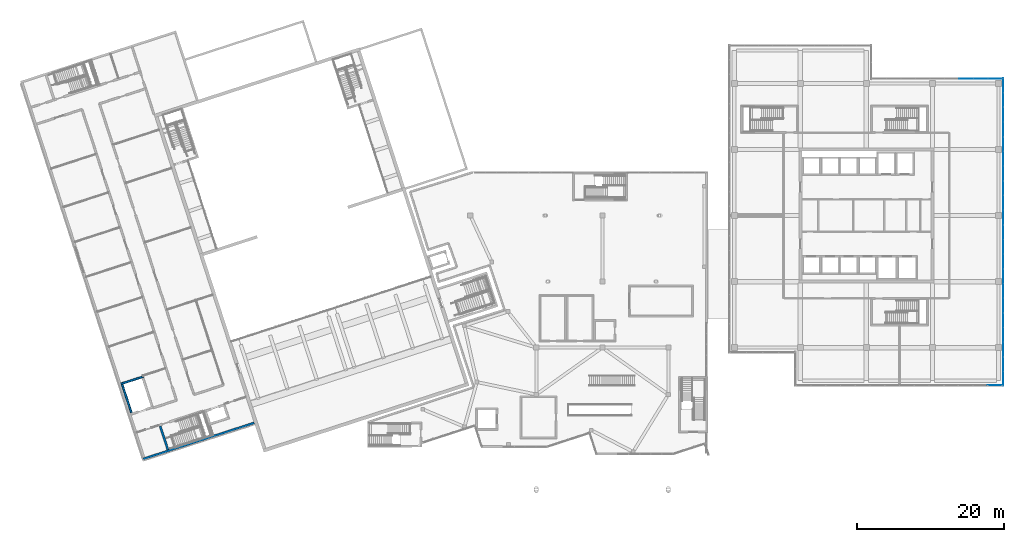
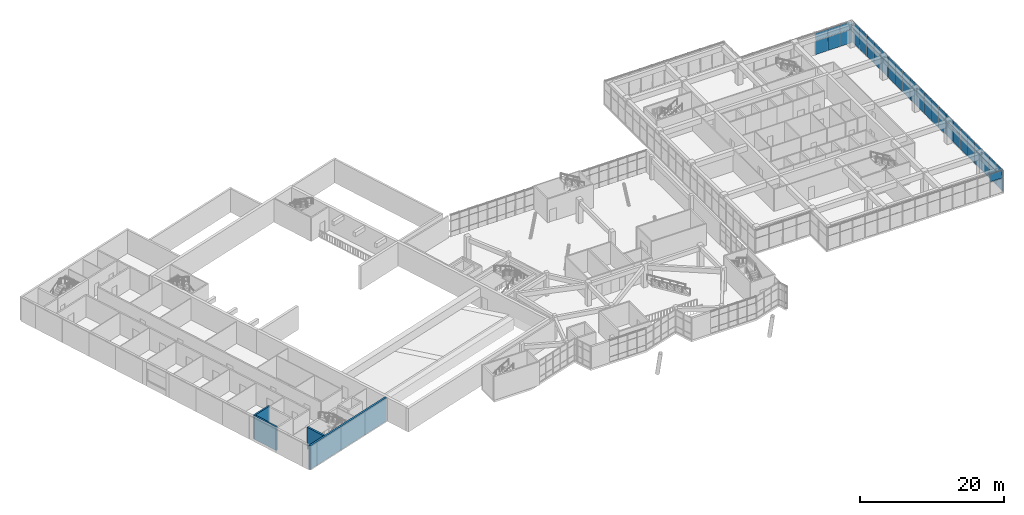
# One storey, part 51 of 66: 49 plates, 4 walls, 3 elements without a shape of their own.
"""IFC4 building model written with IfcOpenShell, lengths in metres."""

from ifc_helpers import new_model, si_unit, direction, frame, frame_2d, origin, origin_2d, place, context, subcontext, project, spatial, rectangle, extrude, material, layer, layer_set, type_object, element, aggregate, save


model = new_model("IFC4")

# Units and contexts
model_context = context("Model", 3, precision=1e-05, world=origin(), true_north=direction((0.0, 1.0)))
body_context = subcontext(model_context, "Body", "Model", "MODEL_VIEW")
ifc_project = project(units=[si_unit("LENGTHUNIT", "METRE"), si_unit("AREAUNIT", "SQUARE_METRE"), si_unit("VOLUMEUNIT", "CUBIC_METRE"), si_unit("PLANEANGLEUNIT", "RADIAN"), si_unit("MASSUNIT", "GRAM", prefix="KILO")], contexts=[model_context])

# Site, building, storey
site_placement = place(None, origin())
site = spatial("IfcSite", under=ifc_project, at=site_placement, CompositionType="ELEMENT")
building_placement = place(site_placement, origin())
building = spatial("IfcBuilding", under=site, at=building_placement, Name="Tuart Plaza Theatre", CompositionType="ELEMENT")
storey_placement = place(building_placement, frame((0.0, 0.0, 5.5)))
storey = spatial("IfcBuildingStorey", under=building, at=storey_placement, Name="L01", CompositionType="ELEMENT", Elevation=5.5)

# Curtain wall, plate
ifc_material_1 = material(Name="Aluminium and glass", Category="aluminium")
ifc_layer_1 = layer(ifc_material_1, 0.10009765625)
ifc_layer_set_1 = layer_set([ifc_layer_1], Name="CURTAIN WALL 2000 module")
curtain_wall_type = type_object("IfcCurtainWallType", Name="CURTAIN WALL 2000 module", PredefinedType="NOTDEFINED", material=ifc_layer_set_1)
curtain_wall_1_placement = place(storey_placement, origin())
curtain_wall_1 = element("IfcCurtainWall", 1, at=curtain_wall_1_placement, inside=storey, type_object=curtain_wall_type, Name="CW68", PredefinedType="NOTDEFINED")
ifc_material_2 = material(Name="Glass", Category="glass")
ifc_layer_2 = layer(ifc_material_2, 0.028076171875)
ifc_layer_set_2 = layer_set([ifc_layer_2], Name="CURTAIN PANEL double glazed 28")
plate_type = type_object("IfcPlateType", Name="CURTAIN PANEL double glazed 28", PredefinedType="CURTAIN_PANEL", material=ifc_layer_set_2)
plate_1_placement = place(storey_placement, frame((149.533935546875, 50.85009765625, 2.425048828125), z_axis=(0.0, 0.0, 1.0), x_axis=(1.0, 0.0, 0.0)))
plate_1 = element("IfcPlate", 2, at=plate_1_placement, type_object=plate_type, Name="CW68 panel 14.2", PredefinedType="CURTAIN_PANEL", context=body_context, shape_type="SweptSolid", body=[
    extrude(rectangle(XDim=1.93212890625, YDim=0.028076171875, at=origin_2d()), origin(), (0.0, 0.0, 1.0), 1.27490234375),
])
aggregate(curtain_wall_1, [plate_1])

# Curtain wall, plates
curtain_wall_2_placement = place(storey_placement, origin())
curtain_wall_2 = element("IfcCurtainWall", 3, at=curtain_wall_2_placement, inside=storey, type_object=curtain_wall_type, Name="CW69", PredefinedType="NOTDEFINED")
plate_2_placement = place(storey_placement, frame((150.64990234375, 51.762451171875, 0.0498046875), z_axis=(0.0, 0.0, 1.0), x_axis=(0.0, 1.0, 0.0)))
plate_2 = element("IfcPlate", 4, at=plate_2_placement, type_object=plate_type, Name="CW69 panel 1.1", PredefinedType="CURTAIN_PANEL", context=body_context, shape_type="SweptSolid", body=[
    extrude(rectangle(XDim=1.925048828125, YDim=0.028076171875, at=origin_2d()), origin(), (0.0, 0.0, 1.0), 2.324951171875),
])
plate_3_placement = place(storey_placement, frame((150.64990234375, 51.762451171875, 2.425048828125), z_axis=(0.0, 0.0, 1.0), x_axis=(0.0, 1.0, 0.0)))
plate_3 = element("IfcPlate", 5, at=plate_3_placement, type_object=plate_type, Name="CW69 panel 1.2", PredefinedType="CURTAIN_PANEL", context=body_context, shape_type="SweptSolid", body=[
    extrude(rectangle(XDim=1.925048828125, YDim=0.028076171875, at=origin_2d()), origin(), (0.0, 0.0, 1.0), 1.27490234375),
])
plate_4_placement = place(storey_placement, frame((150.64990234375, 53.75, 0.0498046875), z_axis=(0.0, 0.0, 1.0), x_axis=(0.0, 1.0, 0.0)))
plate_4 = element("IfcPlate", 6, at=plate_4_placement, type_object=plate_type, Name="CW69 panel 2.1", PredefinedType="CURTAIN_PANEL", context=body_context, shape_type="SweptSolid", body=[
    extrude(rectangle(XDim=1.949951171875, YDim=0.028076171875, at=origin_2d()), origin(), (0.0, 0.0, 1.0), 2.324951171875),
])
plate_5_placement = place(storey_placement, frame((150.64990234375, 53.75, 2.425048828125), z_axis=(0.0, 0.0, 1.0), x_axis=(0.0, 1.0, 0.0)))
plate_5 = element("IfcPlate", 7, at=plate_5_placement, type_object=plate_type, Name="CW69 panel 2.2", PredefinedType="CURTAIN_PANEL", context=body_context, shape_type="SweptSolid", body=[
    extrude(rectangle(XDim=1.949951171875, YDim=0.028076171875, at=origin_2d()), origin(), (0.0, 0.0, 1.0), 1.27490234375),
])
plate_6_placement = place(storey_placement, frame((150.64990234375, 55.75, 0.0498046875), z_axis=(0.0, 0.0, 1.0), x_axis=(0.0, 1.0, 0.0)))
plate_6 = element("IfcPlate", 8, at=plate_6_placement, type_object=plate_type, Name="CW69 panel 3.1", PredefinedType="CURTAIN_PANEL", context=body_context, shape_type="SweptSolid", body=[
    extrude(rectangle(XDim=1.949951171875, YDim=0.028076171875, at=origin_2d()), origin(), (0.0, 0.0, 1.0), 2.324951171875),
])
plate_7_placement = place(storey_placement, frame((150.64990234375, 55.75, 2.425048828125), z_axis=(0.0, 0.0, 1.0), x_axis=(0.0, 1.0, 0.0)))
plate_7 = element("IfcPlate", 9, at=plate_7_placement, type_object=plate_type, Name="CW69 panel 3.2", PredefinedType="CURTAIN_PANEL", context=body_context, shape_type="SweptSolid", body=[
    extrude(rectangle(XDim=1.949951171875, YDim=0.028076171875, at=origin_2d()), origin(), (0.0, 0.0, 1.0), 1.27490234375),
])
plate_8_placement = place(storey_placement, frame((150.64990234375, 57.75, 0.0498046875), z_axis=(0.0, 0.0, 1.0), x_axis=(0.0, 1.0, 0.0)))
plate_8 = element("IfcPlate", 10, at=plate_8_placement, type_object=plate_type, Name="CW69 panel 4.1", PredefinedType="CURTAIN_PANEL", context=body_context, shape_type="SweptSolid", body=[
    extrude(rectangle(XDim=1.949951171875, YDim=0.028076171875, at=origin_2d()), origin(), (0.0, 0.0, 1.0), 2.324951171875),
])
plate_9_placement = place(storey_placement, frame((150.64990234375, 57.75, 2.425048828125), z_axis=(0.0, 0.0, 1.0), x_axis=(0.0, 1.0, 0.0)))
plate_9 = element("IfcPlate", 11, at=plate_9_placement, type_object=plate_type, Name="CW69 panel 4.2", PredefinedType="CURTAIN_PANEL", context=body_context, shape_type="SweptSolid", body=[
    extrude(rectangle(XDim=1.949951171875, YDim=0.028076171875, at=origin_2d()), origin(), (0.0, 0.0, 1.0), 1.27490234375),
])
plate_10_placement = place(storey_placement, frame((150.64990234375, 59.75, 0.0498046875), z_axis=(0.0, 0.0, 1.0), x_axis=(0.0, 1.0, 0.0)))
plate_10 = element("IfcPlate", 12, at=plate_10_placement, type_object=plate_type, Name="CW69 panel 5.1", PredefinedType="CURTAIN_PANEL", context=body_context, shape_type="SweptSolid", body=[
    extrude(rectangle(XDim=1.949951171875, YDim=0.028076171875, at=origin_2d()), origin(), (0.0, 0.0, 1.0), 2.324951171875),
])
plate_11_placement = place(storey_placement, frame((150.64990234375, 59.75, 2.425048828125), z_axis=(0.0, 0.0, 1.0), x_axis=(0.0, 1.0, 0.0)))
plate_11 = element("IfcPlate", 13, at=plate_11_placement, type_object=plate_type, Name="CW69 panel 5.2", PredefinedType="CURTAIN_PANEL", context=body_context, shape_type="SweptSolid", body=[
    extrude(rectangle(XDim=1.949951171875, YDim=0.028076171875, at=origin_2d()), origin(), (0.0, 0.0, 1.0), 1.27490234375),
])
plate_12_placement = place(storey_placement, frame((150.64990234375, 61.75, 0.0498046875), z_axis=(0.0, 0.0, 1.0), x_axis=(0.0, 1.0, 0.0)))
plate_12 = element("IfcPlate", 14, at=plate_12_placement, type_object=plate_type, Name="CW69 panel 6.1", PredefinedType="CURTAIN_PANEL", context=body_context, shape_type="SweptSolid", body=[
    extrude(rectangle(XDim=1.949951171875, YDim=0.028076171875, at=origin_2d()), origin(), (0.0, 0.0, 1.0), 2.324951171875),
])
plate_13_placement = place(storey_placement, frame((150.64990234375, 61.75, 2.425048828125), z_axis=(0.0, 0.0, 1.0), x_axis=(0.0, 1.0, 0.0)))
plate_13 = element("IfcPlate", 15, at=plate_13_placement, type_object=plate_type, Name="CW69 panel 6.2", PredefinedType="CURTAIN_PANEL", context=body_context, shape_type="SweptSolid", body=[
    extrude(rectangle(XDim=1.949951171875, YDim=0.028076171875, at=origin_2d()), origin(), (0.0, 0.0, 1.0), 1.27490234375),
])
plate_14_placement = place(storey_placement, frame((150.64990234375, 63.75, 0.0498046875), z_axis=(0.0, 0.0, 1.0), x_axis=(0.0, 1.0, 0.0)))
plate_14 = element("IfcPlate", 16, at=plate_14_placement, type_object=plate_type, Name="CW69 panel 7.1", PredefinedType="CURTAIN_PANEL", context=body_context, shape_type="SweptSolid", body=[
    extrude(rectangle(XDim=1.949951171875, YDim=0.028076171875, at=origin_2d()), origin(), (0.0, 0.0, 1.0), 2.324951171875),
])
plate_15_placement = place(storey_placement, frame((150.64990234375, 63.75, 2.425048828125), z_axis=(0.0, 0.0, 1.0), x_axis=(0.0, 1.0, 0.0)))
plate_15 = element("IfcPlate", 17, at=plate_15_placement, type_object=plate_type, Name="CW69 panel 7.2", PredefinedType="CURTAIN_PANEL", context=body_context, shape_type="SweptSolid", body=[
    extrude(rectangle(XDim=1.949951171875, YDim=0.028076171875, at=origin_2d()), origin(), (0.0, 0.0, 1.0), 1.27490234375),
])
plate_16_placement = place(storey_placement, frame((150.64990234375, 65.75, 0.0498046875), z_axis=(0.0, 0.0, 1.0), x_axis=(0.0, 1.0, 0.0)))
plate_16 = element("IfcPlate", 18, at=plate_16_placement, type_object=plate_type, Name="CW69 panel 8.1", PredefinedType="CURTAIN_PANEL", context=body_context, shape_type="SweptSolid", body=[
    extrude(rectangle(XDim=1.949951171875, YDim=0.028076171875, at=origin_2d()), origin(), (0.0, 0.0, 1.0), 2.324951171875),
])
plate_17_placement = place(storey_placement, frame((150.64990234375, 65.75, 2.425048828125), z_axis=(0.0, 0.0, 1.0), x_axis=(0.0, 1.0, 0.0)))
plate_17 = element("IfcPlate", 19, at=plate_17_placement, type_object=plate_type, Name="CW69 panel 8.2", PredefinedType="CURTAIN_PANEL", context=body_context, shape_type="SweptSolid", body=[
    extrude(rectangle(XDim=1.949951171875, YDim=0.028076171875, at=origin_2d()), origin(), (0.0, 0.0, 1.0), 1.27490234375),
])
plate_18_placement = place(storey_placement, frame((150.64990234375, 67.75, 0.0498046875), z_axis=(0.0, 0.0, 1.0), x_axis=(0.0, 1.0, 0.0)))
plate_18 = element("IfcPlate", 20, at=plate_18_placement, type_object=plate_type, Name="CW69 panel 9.1", PredefinedType="CURTAIN_PANEL", context=body_context, shape_type="SweptSolid", body=[
    extrude(rectangle(XDim=1.949951171875, YDim=0.028076171875, at=origin_2d()), origin(), (0.0, 0.0, 1.0), 2.324951171875),
])
plate_19_placement = place(storey_placement, frame((150.64990234375, 67.75, 2.425048828125), z_axis=(0.0, 0.0, 1.0), x_axis=(0.0, 1.0, 0.0)))
plate_19 = element("IfcPlate", 21, at=plate_19_placement, type_object=plate_type, Name="CW69 panel 9.2", PredefinedType="CURTAIN_PANEL", context=body_context, shape_type="SweptSolid", body=[
    extrude(rectangle(XDim=1.949951171875, YDim=0.028076171875, at=origin_2d()), origin(), (0.0, 0.0, 1.0), 1.27490234375),
])
plate_20_placement = place(storey_placement, frame((150.64990234375, 69.75, 0.0498046875), z_axis=(0.0, 0.0, 1.0), x_axis=(0.0, 1.0, 0.0)))
plate_20 = element("IfcPlate", 22, at=plate_20_placement, type_object=plate_type, Name="CW69 panel 10.1", PredefinedType="CURTAIN_PANEL", context=body_context, shape_type="SweptSolid", body=[
    extrude(rectangle(XDim=1.949951171875, YDim=0.028076171875, at=origin_2d()), origin(), (0.0, 0.0, 1.0), 2.324951171875),
])
plate_21_placement = place(storey_placement, frame((150.64990234375, 69.75, 2.425048828125), z_axis=(0.0, 0.0, 1.0), x_axis=(0.0, 1.0, 0.0)))
plate_21 = element("IfcPlate", 23, at=plate_21_placement, type_object=plate_type, Name="CW69 panel 10.2", PredefinedType="CURTAIN_PANEL", context=body_context, shape_type="SweptSolid", body=[
    extrude(rectangle(XDim=1.949951171875, YDim=0.028076171875, at=origin_2d()), origin(), (0.0, 0.0, 1.0), 1.27490234375),
])
plate_22_placement = place(storey_placement, frame((150.64990234375, 71.75, 0.0498046875), z_axis=(0.0, 0.0, 1.0), x_axis=(0.0, 1.0, 0.0)))
plate_22 = element("IfcPlate", 24, at=plate_22_placement, type_object=plate_type, Name="CW69 panel 11.1", PredefinedType="CURTAIN_PANEL", context=body_context, shape_type="SweptSolid", body=[
    extrude(rectangle(XDim=1.949951171875, YDim=0.028076171875, at=origin_2d()), origin(), (0.0, 0.0, 1.0), 2.324951171875),
])
plate_23_placement = place(storey_placement, frame((150.64990234375, 71.75, 2.425048828125), z_axis=(0.0, 0.0, 1.0), x_axis=(0.0, 1.0, 0.0)))
plate_23 = element("IfcPlate", 25, at=plate_23_placement, type_object=plate_type, Name="CW69 panel 11.2", PredefinedType="CURTAIN_PANEL", context=body_context, shape_type="SweptSolid", body=[
    extrude(rectangle(XDim=1.949951171875, YDim=0.028076171875, at=origin_2d()), origin(), (0.0, 0.0, 1.0), 1.27490234375),
])
plate_24_placement = place(storey_placement, frame((150.64990234375, 73.75, 0.0498046875), z_axis=(0.0, 0.0, 1.0), x_axis=(0.0, 1.0, 0.0)))
plate_24 = element("IfcPlate", 26, at=plate_24_placement, type_object=plate_type, Name="CW69 panel 12.1", PredefinedType="CURTAIN_PANEL", context=body_context, shape_type="SweptSolid", body=[
    extrude(rectangle(XDim=1.949951171875, YDim=0.028076171875, at=origin_2d()), origin(), (0.0, 0.0, 1.0), 2.324951171875),
])
plate_25_placement = place(storey_placement, frame((150.64990234375, 73.75, 2.425048828125), z_axis=(0.0, 0.0, 1.0), x_axis=(0.0, 1.0, 0.0)))
plate_25 = element("IfcPlate", 27, at=plate_25_placement, type_object=plate_type, Name="CW69 panel 12.2", PredefinedType="CURTAIN_PANEL", context=body_context, shape_type="SweptSolid", body=[
    extrude(rectangle(XDim=1.949951171875, YDim=0.028076171875, at=origin_2d()), origin(), (0.0, 0.0, 1.0), 1.27490234375),
])
plate_26_placement = place(storey_placement, frame((150.64990234375, 75.75, 0.0498046875), z_axis=(0.0, 0.0, 1.0), x_axis=(0.0, 1.0, 0.0)))
plate_26 = element("IfcPlate", 28, at=plate_26_placement, type_object=plate_type, Name="CW69 panel 13.1", PredefinedType="CURTAIN_PANEL", context=body_context, shape_type="SweptSolid", body=[
    extrude(rectangle(XDim=1.949951171875, YDim=0.028076171875, at=origin_2d()), origin(), (0.0, 0.0, 1.0), 2.324951171875),
])
plate_27_placement = place(storey_placement, frame((150.64990234375, 75.75, 2.425048828125), z_axis=(0.0, 0.0, 1.0), x_axis=(0.0, 1.0, 0.0)))
plate_27 = element("IfcPlate", 29, at=plate_27_placement, type_object=plate_type, Name="CW69 panel 13.2", PredefinedType="CURTAIN_PANEL", context=body_context, shape_type="SweptSolid", body=[
    extrude(rectangle(XDim=1.949951171875, YDim=0.028076171875, at=origin_2d()), origin(), (0.0, 0.0, 1.0), 1.27490234375),
])
plate_28_placement = place(storey_placement, frame((150.64990234375, 77.75, 0.0498046875), z_axis=(0.0, 0.0, 1.0), x_axis=(0.0, 1.0, 0.0)))
plate_28 = element("IfcPlate", 30, at=plate_28_placement, type_object=plate_type, Name="CW69 panel 14.1", PredefinedType="CURTAIN_PANEL", context=body_context, shape_type="SweptSolid", body=[
    extrude(rectangle(XDim=1.949951171875, YDim=0.028076171875, at=origin_2d()), origin(), (0.0, 0.0, 1.0), 2.324951171875),
])
plate_29_placement = place(storey_placement, frame((150.64990234375, 77.75, 2.425048828125), z_axis=(0.0, 0.0, 1.0), x_axis=(0.0, 1.0, 0.0)))
plate_29 = element("IfcPlate", 31, at=plate_29_placement, type_object=plate_type, Name="CW69 panel 14.2", PredefinedType="CURTAIN_PANEL", context=body_context, shape_type="SweptSolid", body=[
    extrude(rectangle(XDim=1.949951171875, YDim=0.028076171875, at=origin_2d()), origin(), (0.0, 0.0, 1.0), 1.27490234375),
])
plate_30_placement = place(storey_placement, frame((150.64990234375, 79.75, 0.0498046875), z_axis=(0.0, 0.0, 1.0), x_axis=(0.0, 1.0, 0.0)))
plate_30 = element("IfcPlate", 32, at=plate_30_placement, type_object=plate_type, Name="CW69 panel 15.1", PredefinedType="CURTAIN_PANEL", context=body_context, shape_type="SweptSolid", body=[
    extrude(rectangle(XDim=1.949951171875, YDim=0.028076171875, at=origin_2d()), origin(), (0.0, 0.0, 1.0), 2.324951171875),
])
plate_31_placement = place(storey_placement, frame((150.64990234375, 79.75, 2.425048828125), z_axis=(0.0, 0.0, 1.0), x_axis=(0.0, 1.0, 0.0)))
plate_31 = element("IfcPlate", 33, at=plate_31_placement, type_object=plate_type, Name="CW69 panel 15.2", PredefinedType="CURTAIN_PANEL", context=body_context, shape_type="SweptSolid", body=[
    extrude(rectangle(XDim=1.949951171875, YDim=0.028076171875, at=origin_2d()), origin(), (0.0, 0.0, 1.0), 1.27490234375),
])
plate_32_placement = place(storey_placement, frame((150.64990234375, 81.75, 0.0498046875), z_axis=(0.0, 0.0, 1.0), x_axis=(0.0, 1.0, 0.0)))
plate_32 = element("IfcPlate", 34, at=plate_32_placement, type_object=plate_type, Name="CW69 panel 16.1", PredefinedType="CURTAIN_PANEL", context=body_context, shape_type="SweptSolid", body=[
    extrude(rectangle(XDim=1.949951171875, YDim=0.028076171875, at=origin_2d()), origin(), (0.0, 0.0, 1.0), 2.324951171875),
])
plate_33_placement = place(storey_placement, frame((150.64990234375, 81.75, 2.425048828125), z_axis=(0.0, 0.0, 1.0), x_axis=(0.0, 1.0, 0.0)))
plate_33 = element("IfcPlate", 35, at=plate_33_placement, type_object=plate_type, Name="CW69 panel 16.2", PredefinedType="CURTAIN_PANEL", context=body_context, shape_type="SweptSolid", body=[
    extrude(rectangle(XDim=1.949951171875, YDim=0.028076171875, at=origin_2d()), origin(), (0.0, 0.0, 1.0), 1.27490234375),
])
plate_34_placement = place(storey_placement, frame((150.64990234375, 83.75, 0.0498046875), z_axis=(0.0, 0.0, 1.0), x_axis=(0.0, 1.0, 0.0)))
plate_34 = element("IfcPlate", 36, at=plate_34_placement, type_object=plate_type, Name="CW69 panel 17.1", PredefinedType="CURTAIN_PANEL", context=body_context, shape_type="SweptSolid", body=[
    extrude(rectangle(XDim=1.949951171875, YDim=0.028076171875, at=origin_2d()), origin(), (0.0, 0.0, 1.0), 2.324951171875),
])
plate_35_placement = place(storey_placement, frame((150.64990234375, 83.75, 2.425048828125), z_axis=(0.0, 0.0, 1.0), x_axis=(0.0, 1.0, 0.0)))
plate_35 = element("IfcPlate", 37, at=plate_35_placement, type_object=plate_type, Name="CW69 panel 17.2", PredefinedType="CURTAIN_PANEL", context=body_context, shape_type="SweptSolid", body=[
    extrude(rectangle(XDim=1.949951171875, YDim=0.028076171875, at=origin_2d()), origin(), (0.0, 0.0, 1.0), 1.27490234375),
])
plate_36_placement = place(storey_placement, frame((150.64990234375, 85.75, 0.0498046875), z_axis=(0.0, 0.0, 1.0), x_axis=(0.0, 1.0, 0.0)))
plate_36 = element("IfcPlate", 38, at=plate_36_placement, type_object=plate_type, Name="CW69 panel 18.1", PredefinedType="CURTAIN_PANEL", context=body_context, shape_type="SweptSolid", body=[
    extrude(rectangle(XDim=1.949951171875, YDim=0.028076171875, at=origin_2d()), origin(), (0.0, 0.0, 1.0), 2.324951171875),
])
plate_37_placement = place(storey_placement, frame((150.64990234375, 85.75, 2.425048828125), z_axis=(0.0, 0.0, 1.0), x_axis=(0.0, 1.0, 0.0)))
plate_37 = element("IfcPlate", 39, at=plate_37_placement, type_object=plate_type, Name="CW69 panel 18.2", PredefinedType="CURTAIN_PANEL", context=body_context, shape_type="SweptSolid", body=[
    extrude(rectangle(XDim=1.949951171875, YDim=0.028076171875, at=origin_2d()), origin(), (0.0, 0.0, 1.0), 1.27490234375),
])
plate_38_placement = place(storey_placement, frame((150.64990234375, 87.75, 0.0498046875), z_axis=(0.0, 0.0, 1.0), x_axis=(0.0, 1.0, 0.0)))
plate_38 = element("IfcPlate", 40, at=plate_38_placement, type_object=plate_type, Name="CW69 panel 19.1", PredefinedType="CURTAIN_PANEL", context=body_context, shape_type="SweptSolid", body=[
    extrude(rectangle(XDim=1.949951171875, YDim=0.028076171875, at=origin_2d()), origin(), (0.0, 0.0, 1.0), 2.324951171875),
])
plate_39_placement = place(storey_placement, frame((150.64990234375, 87.75, 2.425048828125), z_axis=(0.0, 0.0, 1.0), x_axis=(0.0, 1.0, 0.0)))
plate_39 = element("IfcPlate", 41, at=plate_39_placement, type_object=plate_type, Name="CW69 panel 19.2", PredefinedType="CURTAIN_PANEL", context=body_context, shape_type="SweptSolid", body=[
    extrude(rectangle(XDim=1.949951171875, YDim=0.028076171875, at=origin_2d()), origin(), (0.0, 0.0, 1.0), 1.27490234375),
])
plate_40_placement = place(storey_placement, frame((150.64990234375, 89.75, 0.0498046875), z_axis=(0.0, 0.0, 1.0), x_axis=(0.0, 1.0, 0.0)))
plate_40 = element("IfcPlate", 42, at=plate_40_placement, type_object=plate_type, Name="CW69 panel 20.1", PredefinedType="CURTAIN_PANEL", context=body_context, shape_type="SweptSolid", body=[
    extrude(rectangle(XDim=1.949951171875, YDim=0.028076171875, at=origin_2d()), origin(), (0.0, 0.0, 1.0), 2.324951171875),
])
plate_41_placement = place(storey_placement, frame((150.64990234375, 89.75, 2.425048828125), z_axis=(0.0, 0.0, 1.0), x_axis=(0.0, 1.0, 0.0)))
plate_41 = element("IfcPlate", 43, at=plate_41_placement, type_object=plate_type, Name="CW69 panel 20.2", PredefinedType="CURTAIN_PANEL", context=body_context, shape_type="SweptSolid", body=[
    extrude(rectangle(XDim=1.949951171875, YDim=0.028076171875, at=origin_2d()), origin(), (0.0, 0.0, 1.0), 1.27490234375),
])
plate_42_placement = place(storey_placement, frame((150.64990234375, 91.737548828125, 0.0498046875), z_axis=(0.0, 0.0, 1.0), x_axis=(0.0, 1.0, 0.0)))
plate_42 = element("IfcPlate", 44, at=plate_42_placement, type_object=plate_type, Name="CW69 panel 21.1", PredefinedType="CURTAIN_PANEL", context=body_context, shape_type="SweptSolid", body=[
    extrude(rectangle(XDim=1.925048828125, YDim=0.028076171875, at=origin_2d()), origin(), (0.0, 0.0, 1.0), 2.324951171875),
])
plate_43_placement = place(storey_placement, frame((150.64990234375, 91.737548828125, 2.425048828125), z_axis=(0.0, 0.0, 1.0), x_axis=(0.0, 1.0, 0.0)))
plate_43 = element("IfcPlate", 45, at=plate_43_placement, type_object=plate_type, Name="CW69 panel 21.2", PredefinedType="CURTAIN_PANEL", context=body_context, shape_type="SweptSolid", body=[
    extrude(rectangle(XDim=1.925048828125, YDim=0.028076171875, at=origin_2d()), origin(), (0.0, 0.0, 1.0), 1.27490234375),
])
aggregate(curtain_wall_2, [plate_2, plate_3, plate_4, plate_5, plate_6, plate_7, plate_8, plate_9, plate_10, plate_11, plate_12, plate_13, plate_14, plate_15, plate_16, plate_17, plate_18, plate_19, plate_20, plate_21, plate_22, plate_23, plate_24, plate_25, plate_26, plate_27, plate_28, plate_29, plate_30, plate_31, plate_32, plate_33, plate_34, plate_35, plate_36, plate_37, plate_38, plate_39, plate_40, plate_41, plate_42, plate_43])

curtain_wall_3_placement = place(storey_placement, origin())
curtain_wall_3 = element("IfcCurtainWall", 46, at=curtain_wall_3_placement, inside=storey, type_object=curtain_wall_type, Name="CW70", PredefinedType="NOTDEFINED")
plate_44_placement = place(storey_placement, frame((149.548583984375, 92.64990234375, 0.0498046875), z_axis=(0.0, 0.0, 1.0), x_axis=(-1.0, 0.0, 0.0)))
plate_44 = element("IfcPlate", 47, at=plate_44_placement, type_object=plate_type, Name="CW70 panel 1.1", PredefinedType="CURTAIN_PANEL", context=body_context, shape_type="SweptSolid", body=[
    extrude(rectangle(XDim=1.90283203125, YDim=0.028076171875, at=origin_2d()), origin(), (0.0, 0.0, 1.0), 2.324951171875),
])
plate_45_placement = place(storey_placement, frame((149.548583984375, 92.64990234375, 2.425048828125), z_axis=(0.0, 0.0, 1.0), x_axis=(-1.0, 0.0, 0.0)))
plate_45 = element("IfcPlate", 48, at=plate_45_placement, type_object=plate_type, Name="CW70 panel 1.2", PredefinedType="CURTAIN_PANEL", context=body_context, shape_type="SweptSolid", body=[
    extrude(rectangle(XDim=1.90283203125, YDim=0.028076171875, at=origin_2d()), origin(), (0.0, 0.0, 1.0), 1.27490234375),
])
plate_46_placement = place(storey_placement, frame((147.583251953125, 92.64990234375, 0.0498046875), z_axis=(0.0, 0.0, 1.0), x_axis=(-1.0, 0.0, 0.0)))
plate_46 = element("IfcPlate", 49, at=plate_46_placement, type_object=plate_type, Name="CW70 panel 2.1", PredefinedType="CURTAIN_PANEL", context=body_context, shape_type="SweptSolid", body=[
    extrude(rectangle(XDim=1.927734375, YDim=0.028076171875, at=origin_2d()), origin(), (0.0, 0.0, 1.0), 2.324951171875),
])
plate_47_placement = place(storey_placement, frame((147.583251953125, 92.64990234375, 2.425048828125), z_axis=(0.0, 0.0, 1.0), x_axis=(-1.0, 0.0, 0.0)))
plate_47 = element("IfcPlate", 50, at=plate_47_placement, type_object=plate_type, Name="CW70 panel 2.2", PredefinedType="CURTAIN_PANEL", context=body_context, shape_type="SweptSolid", body=[
    extrude(rectangle(XDim=1.927734375, YDim=0.028076171875, at=origin_2d()), origin(), (0.0, 0.0, 1.0), 1.27490234375),
])
plate_48_placement = place(storey_placement, frame((145.60546875, 92.64990234375, 0.0498046875), z_axis=(0.0, 0.0, 1.0), x_axis=(-1.0, 0.0, 0.0)))
plate_48 = element("IfcPlate", 51, at=plate_48_placement, type_object=plate_type, Name="CW70 panel 3.1", PredefinedType="CURTAIN_PANEL", context=body_context, shape_type="SweptSolid", body=[
    extrude(rectangle(XDim=1.927734375, YDim=0.028076171875, at=origin_2d()), origin(), (0.0, 0.0, 1.0), 2.324951171875),
])
plate_49_placement = place(storey_placement, frame((145.60546875, 92.64990234375, 2.425048828125), z_axis=(0.0, 0.0, 1.0), x_axis=(-1.0, 0.0, 0.0)))
plate_49 = element("IfcPlate", 52, at=plate_49_placement, type_object=plate_type, Name="CW70 panel 3.2", PredefinedType="CURTAIN_PANEL", context=body_context, shape_type="SweptSolid", body=[
    extrude(rectangle(XDim=1.927734375, YDim=0.028076171875, at=origin_2d()), origin(), (0.0, 0.0, 1.0), 1.27490234375),
])
aggregate(curtain_wall_3, [plate_44, plate_45, plate_46, plate_47, plate_48, plate_49])

# Walls
ifc_material_3 = material(Name="Concrete N40 (40 MPa)", Category="concrete")
ifc_layer_3 = layer(ifc_material_3, 0.25)
ifc_layer_set_3 = layer_set([ifc_layer_3], Name="SHEAR WALL RC250 FRL 120/120/120")
wall_type_1 = type_object("IfcWallType", Name="SHEAR WALL RC250 FRL 120/120/120", PredefinedType="SHEAR", material=ifc_layer_set_3)
wall_1_placement = place(storey_placement, frame((33.434326171875, 52.047607421875, 0.0), z_axis=(0.0, 0.0, 1.0), x_axis=(-0.951066581729, -0.308986014439, 0.0)))
element("IfcWall", 53, at=wall_1_placement, inside=storey, type_object=wall_type_1, Name="W210", PredefinedType="SHEAR", context=body_context, shape_type="SweptSolid", body=[
    extrude(rectangle(XDim=3.199951171875, YDim=0.25, at=frame_2d((1.60009765625, 0.0))), origin(), (0.0, 0.0, 1.0), 4.0),
])
wall_2_placement = place(storey_placement, frame((30.54833984375, 50.978515625, 0.0), z_axis=(0.0, 0.0, 1.0), x_axis=(0.309055103076, -0.951044133184, 0.0)))
element("IfcWall", 54, at=wall_2_placement, inside=storey, type_object=wall_type_1, Name="W211", PredefinedType="SHEAR", context=body_context, shape_type="SweptSolid", body=[
    extrude(rectangle(XDim=4.099853515625, YDim=0.25, at=frame_2d((2.0498046875, 0.0))), origin(), (0.0, 0.0, 1.0), 4.0),
])
ifc_material_4 = material(Name="Concrete N40 (40 MPa)", Category="concrete")
ifc_layer_4 = layer(ifc_material_4, 0.300048828125)
ifc_layer_set_4 = layer_set([ifc_layer_4], Name="WALL RC300 LB FRL 120/120/120")
wall_type_2 = type_object("IfcWallType", Name="WALL RC300 LB FRL 120/120/120", PredefinedType="SOLIDWALL", material=ifc_layer_set_4)
wall_3_placement = place(storey_placement, frame((48.550048828125, 45.734619140625, 0.0), z_axis=(0.0, 0.0, 1.0), x_axis=(-0.951061216338, -0.309002528757, 0.0)))
element("IfcWall", 55, at=wall_3_placement, inside=storey, type_object=wall_type_2, Name="W65", PredefinedType="SOLIDWALL", context=body_context, shape_type="SweptSolid", body=[
    extrude(rectangle(XDim=15.925048828125, YDim=0.300048828125, at=frame_2d((7.96240234375, 0.0))), origin(), (0.0, 0.0, 1.0), 4.0),
])
wall_4_placement = place(storey_placement, frame((35.731201171875, 45.30224609375, 0.0), z_axis=(0.0, 0.0, 1.0), x_axis=(0.308980533303, -0.951068362443, 0.0)))
element("IfcWall", 56, at=wall_4_placement, inside=storey, type_object=wall_type_2, Name="W104", PredefinedType="SOLIDWALL", context=body_context, shape_type="SweptSolid", body=[
    extrude(rectangle(XDim=3.39990234375, YDim=0.300048828125, at=frame_2d((1.699951171875, 0.0))), origin(), (0.0, 0.0, 1.0), 3.699951171875),
])

save(model, "model.ifc")
